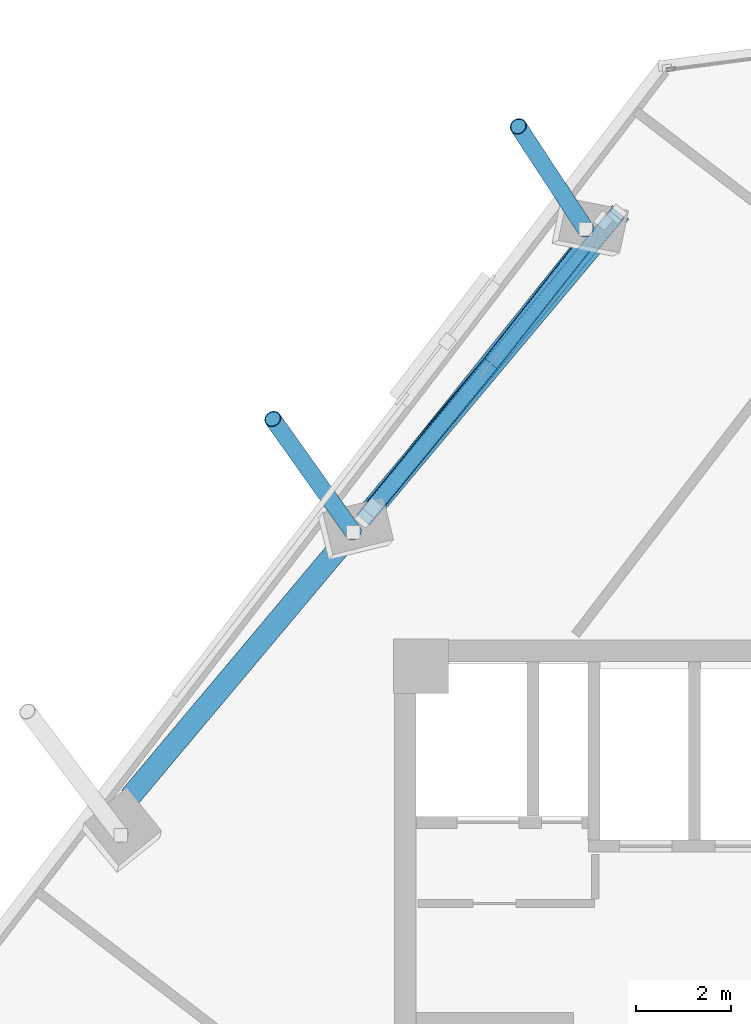
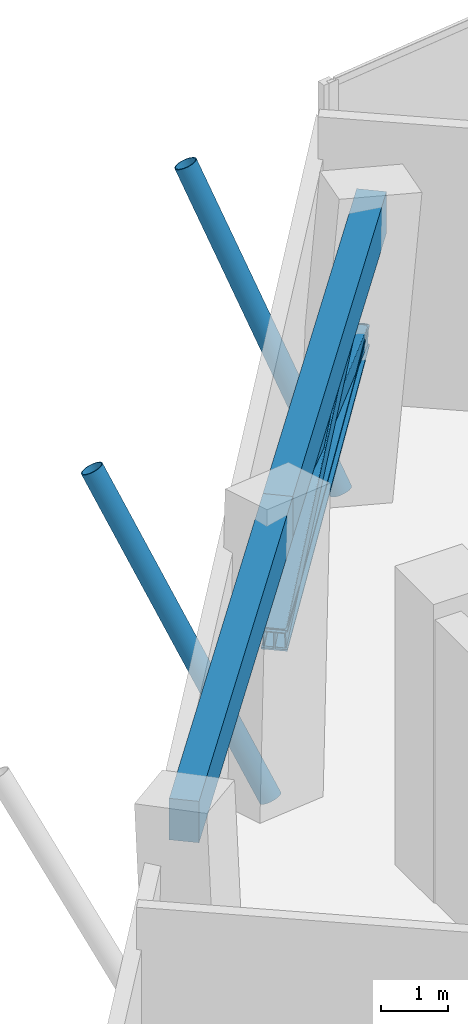
# One storey, part 11 of 22: 6 members, 2 beams.
"""IFC4 building model written with IfcOpenShell, lengths in metres."""

from ifc_helpers import new_model, si_unit, direction, frame, origin, origin_2d, place, context, subcontext, project, spatial, rectangle, hollow_rectangle, hollow_circle, i_section, extrude, source, transform, mapped, material, material_profile, profile_set, type_object, element, save


model = new_model("IFC4")

# Units and contexts
model_context = context("Model", 3, precision=1e-05, world=origin(), true_north=direction((0.0, 1.0)))
body_context = subcontext(model_context, "Body", "Model", "MODEL_VIEW")
ifc_project = project(units=[si_unit("LENGTHUNIT", "METRE"), si_unit("AREAUNIT", "SQUARE_METRE"), si_unit("VOLUMEUNIT", "CUBIC_METRE"), si_unit("PLANEANGLEUNIT", "RADIAN"), si_unit("MASSUNIT", "GRAM", prefix="KILO")], contexts=[model_context])

# Site, building, storey
site_placement = place(None, origin())
site = spatial("IfcSite", under=ifc_project, at=site_placement, CompositionType="ELEMENT")
building_placement = place(site_placement, origin())
building = spatial("IfcBuilding", under=site, at=building_placement, Name="Torre Montelarca", CompositionType="ELEMENT")
storey_placement = place(building_placement, frame((0.0, 0.0, 209.800048828125)))
storey = spatial("IfcBuildingStorey", under=building, at=storey_placement, Name="L47", CompositionType="ELEMENT", Elevation=209.800048828125)

# Members
ifc_material_1 = material(Name="Steel ASTM A500 Grade C", Category="steel")
ifc_material_profile_1 = material_profile(ifc_material_1, hollow_circle(Radius=0.177734375, WallThickness=0.015869140625, at=origin_2d()), Name="HSS355.6X15.9", Category="steel")
ifc_profile_set_1 = profile_set([ifc_material_profile_1], Name="Steel ASTM A500 Grade C")
member_type_1 = type_object("IfcMemberType", Name="MB-BR-CHS356-EXT", PredefinedType="BRACE", material=ifc_profile_set_1)
shared_shape_1 = source(origin(), body_context, "Body", "SweptSolid", [
    extrude(hollow_circle(Radius=0.177734375, WallThickness=0.015869140625, at=origin_2d()), origin(), (0.0, 0.0, 1.0), 5.880859375),
])
member_1_placement = place(storey_placement, frame((8.132080078125, 42.257568359375, 0.14990234375), z_axis=(-0.286492023755, 0.403563101424, 0.868941392439), x_axis=(-0.815419015419, -0.578871168131, 0.0)))
element("IfcMember", 1, at=member_1_placement, inside=storey, type_object=member_type_1, Name="L48 Sliding Tray Exterior Diagonal Raker Strut W2", PredefinedType="BRACE", context=body_context, shape_type="MappedRepresentation", body=[
    mapped(shared_shape_1, transform((0.0, 0.0, 0.0), scale=1.0)),
])
shared_shape_2 = source(origin(), body_context, "Body", "SweptSolid", [
    extrude(hollow_circle(Radius=0.177734375, WallThickness=0.015869140625, at=origin_2d()), origin(), (0.0, 0.0, 1.0), 5.722900390625),
])
member_2_placement = place(storey_placement, frame((13.002197265625, 48.6044921875, 0.14990234375), z_axis=(-0.246835909326, 0.376482353923, 0.892935087815), x_axis=(-0.836282833271, -0.548298297258, 0.0)))
element("IfcMember", 2, at=member_2_placement, inside=storey, type_object=member_type_1, Name="L48 Sliding Tray Exterior Diagonal Raker Strut W3", PredefinedType="BRACE", context=body_context, shape_type="MappedRepresentation", body=[
    mapped(shared_shape_2, transform((0.0, 0.0, 0.0), scale=1.0)),
])

# Beams
ifc_material_2 = material(Name="Concrete C55/67", Category="concrete")
ifc_material_profile_2 = material_profile(ifc_material_2, rectangle(XDim=0.449951171875, YDim=0.75, at=origin_2d()), Name="RCB450X750", Category="concrete")
ifc_profile_set_2 = profile_set([ifc_material_profile_2], Name="Concrete C55/67")
beam_type = type_object("IfcBeamType", Name="BM-SP-RC750-EXT", PredefinedType="SPANDREL", material=ifc_profile_set_2)
shared_shape_3 = source(origin(), body_context, "Body", "SweptSolid", [
    extrude(rectangle(XDim=0.449951171875, YDim=0.75, at=origin_2d()), origin(), (0.0, 0.0, 1.0), 8.0),
])
for number, where, z_axis, x_axis, name in (
    (3, (3.449951171875, 36.70263671875, 4.744873046875), (0.642786195972, 0.766045629364, 0.0), (-0.766045629364, 0.642786195972, 0.0), "L47 Grid Girder Y 24.0-32.0 at X=4.7"),
    (4, (8.59228515625, 42.8310546875, 4.744873046875), (0.642801223034, 0.766033019958, 0.0), (-0.766033019958, 0.642801223034, 0.0), "L47 Grid Girder Y 32.0-40.0 at X=4.7"),
):
    element("IfcBeam", number, at=place(storey_placement, frame(where, z_axis=z_axis, x_axis=x_axis)), inside=storey, type_object=beam_type, Name=name, PredefinedType="SPANDREL", context=body_context, shape_type="MappedRepresentation", body=[
        mapped(shared_shape_3, transform((0.0, 0.0, 0.0), scale=1.0)),
    ])

# Members
ifc_material_3 = material(Name="Steel ASTM A992 Grade 50", Category="steel")
ifc_material_profile_3 = material_profile(ifc_material_3, i_section(OverallWidth=0.39501953125, OverallDepth=0.3798828125, WebThickness=0.018798828125, FlangeThickness=0.0302734375, FilletRadius=0.014892578125, at=origin_2d()), Name="W360X237", Category="steel")
ifc_profile_set_3 = profile_set([ifc_material_profile_3], Name="Steel ASTM A992 Grade 50")
member_type_2 = type_object("IfcMemberType", Name="MB-CH-W360X237", PredefinedType="CHORD", material=ifc_profile_set_3)
shared_shape_4 = source(origin(), body_context, "Body", "SweptSolid", [
    extrude(i_section(OverallWidth=0.39501953125, OverallDepth=0.3798828125, WebThickness=0.018798828125, FlangeThickness=0.0302734375, FilletRadius=0.014892578125, at=origin_2d()), origin(), (0.0, 0.0, 1.0), 7.998046875),
])
member_3_placement = place(storey_placement, frame((8.366455078125, 42.549560546875, 2.75), z_axis=(0.626223829458, 0.779643325771, 0.0), x_axis=(-0.779643325771, 0.626223829458, 0.0)))
element("IfcMember", 5, at=member_3_placement, inside=storey, type_object=member_type_2, Name="L47 Perimeter Belt-Truss Bottom Chord 1", PredefinedType="CHORD", context=body_context, shape_type="MappedRepresentation", body=[
    mapped(shared_shape_4, transform((0.0, 0.0, 0.0), scale=1.0)),
])
ifc_material_profile_4 = material_profile(ifc_material_1, hollow_rectangle(XDim=0.355712890625, YDim=0.355712890625, WallThickness=0.015869140625, InnerFilletRadius=0.015869140625, OuterFilletRadius=0.03173828125, at=origin_2d()), Name="HSS356X356X15.9", Category="steel")
ifc_profile_set_4 = profile_set([ifc_material_profile_4], Name="Steel ASTM A500 Grade C")
member_type_3 = type_object("IfcMemberType", Name="MB-BR-HSS356-EXT", PredefinedType="BRACE", material=ifc_profile_set_4)
shared_shape_5 = source(origin(), body_context, "Body", "SweptSolid", [
    extrude(hollow_rectangle(XDim=0.355712890625, YDim=0.355712890625, WallThickness=0.015869140625, InnerFilletRadius=0.015869140625, OuterFilletRadius=0.03173828125, at=origin_2d()), origin(), (0.0, 0.0, 1.0), 8.547119140625),
])
member_4_placement = place(storey_placement, frame((8.366455078125, 42.549560546875, 2.75), z_axis=(0.619331643484, 0.745700206844, 0.245681739028), x_axis=(-0.769278161648, 0.638914008307, 0.0)))
element("IfcMember", 6, at=member_4_placement, inside=storey, type_object=member_type_3, Name="L47 Perimeter Belt-Truss Continuous X-Brace 1A", PredefinedType="BRACE", context=body_context, shape_type="MappedRepresentation", body=[
    mapped(shared_shape_5, transform((0.0, 0.0, 0.0), scale=1.0)),
])
shared_shape_6 = source(origin(), body_context, "Body", "SweptSolid", [
    extrude(hollow_rectangle(XDim=0.355712890625, YDim=0.355712890625, WallThickness=0.015869140625, InnerFilletRadius=0.015869140625, OuterFilletRadius=0.03173828125, at=origin_2d()), origin(), (0.0, 0.0, 1.0), 3.99658203125),
])
for number, where, z_axis, x_axis, name in (
    (7, (13.375, 48.78515625, 2.75), (-0.597563166568, -0.757552732428, 0.26273964214), (0.785137137444, -0.619321948107, 0.0), "L47 Perimeter Belt-Truss Split X-Brace Lower 1B1"),
    (8, (10.98681640625, 45.757568359375, 3.800048828125), (-0.610887026471, -0.746870478564, 0.262681421383), (0.774053198689, -0.633120561663, 0.0), "L47 Perimeter Belt-Truss Split X-Brace Upper 1B2"),
):
    element("IfcMember", number, at=place(storey_placement, frame(where, z_axis=z_axis, x_axis=x_axis)), inside=storey, type_object=member_type_3, Name=name, PredefinedType="BRACE", context=body_context, shape_type="MappedRepresentation", body=[
        mapped(shared_shape_6, transform((0.0, 0.0, 0.0), scale=1.0)),
    ])

save(model, "model.ifc")
